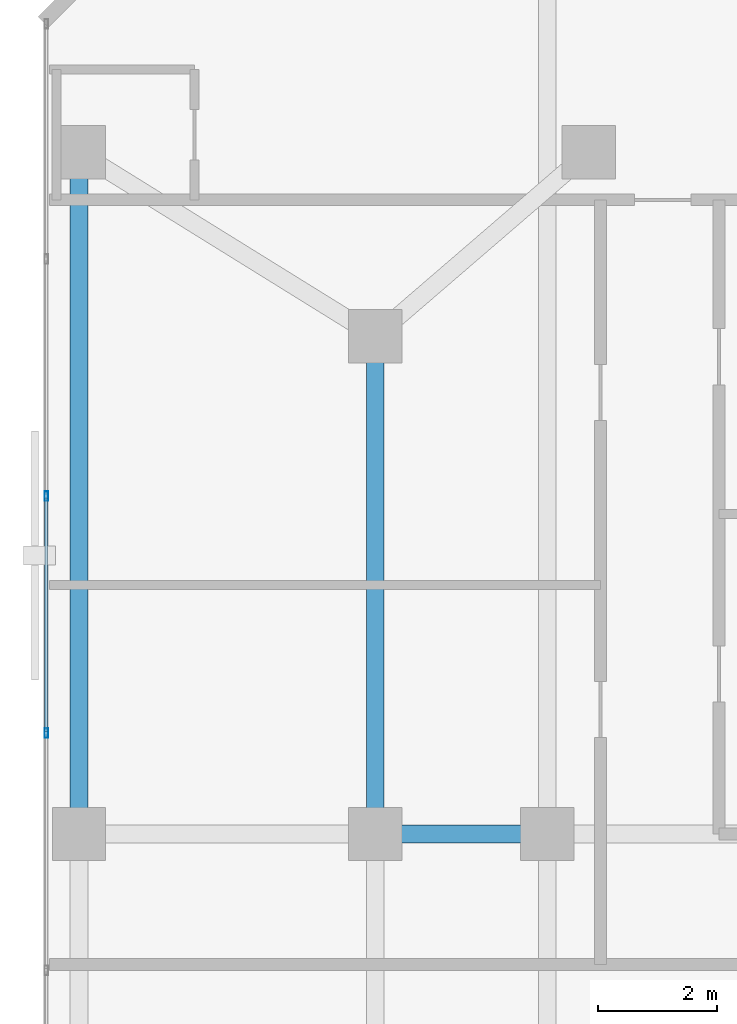
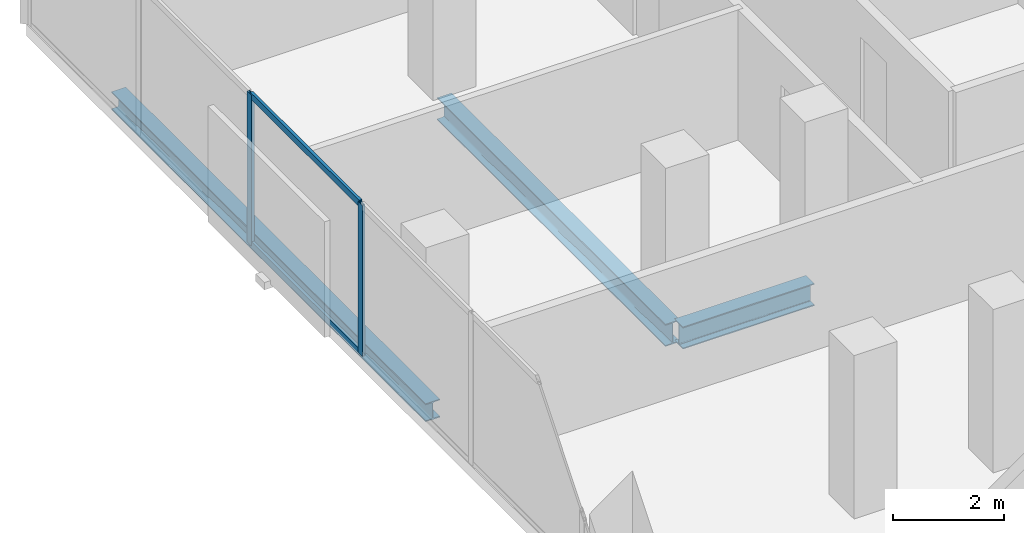
# One storey, part 11 of 33: 4 members, 3 beams, 1 element without a shape of its own.
"""IFC4 building model written with IfcOpenShell, lengths in metres."""

from ifc_helpers import new_model, si_unit, direction, frame, origin, origin_2d, place, context, subcontext, project, spatial, hollow_rectangle, i_section, extrude, material, layer, layer_set, material_profile, profile_set, type_object, element, aggregate, save


model = new_model("IFC4")

# Units and contexts
model_context = context("Model", 3, precision=1e-05, world=origin(), true_north=direction((0.0, 1.0)))
body_context = subcontext(model_context, "Body", "Model", "MODEL_VIEW")
ifc_project = project(units=[si_unit("LENGTHUNIT", "METRE"), si_unit("AREAUNIT", "SQUARE_METRE"), si_unit("VOLUMEUNIT", "CUBIC_METRE"), si_unit("PLANEANGLEUNIT", "RADIAN"), si_unit("MASSUNIT", "GRAM", prefix="KILO")], contexts=[model_context])

# Site, building, storey
site_placement = place(None, origin())
site = spatial("IfcSite", under=ifc_project, at=site_placement, CompositionType="ELEMENT")
building_placement = place(site_placement, origin())
building = spatial("IfcBuilding", under=site, at=building_placement, Name="Catumbela Crestline Tower", CompositionType="ELEMENT")
storey_placement = place(building_placement, frame((0.0, 0.0, 100.8)))
storey = spatial("IfcBuildingStorey", under=building, at=storey_placement, Name="L25", CompositionType="ELEMENT", Elevation=100.8)

# Beams
ifc_material_1 = material(Name="Structural steel S355J2", Category="steel")
ifc_material_profile_1 = material_profile(ifc_material_1, i_section(OverallWidth=0.3, OverallDepth=0.49, WebThickness=0.012, FlangeThickness=0.023, FilletRadius=0.027, at=origin_2d()), Name="HEA 500")
ifc_profile_set_1 = profile_set([ifc_material_profile_1], Name="Structural steel S355J2")
beam_type_1 = type_object("IfcBeamType", Name="BG-HEA500", PredefinedType="BEAM", material=ifc_profile_set_1)
beam_1_placement = place(storey_placement, frame((5.68, 30.8, -0.505), z_axis=(1.0, 0.0, 0.0), x_axis=(0.0, 1.0, 0.0)))
element("IfcBeam", 1, at=beam_1_placement, inside=storey, type_object=beam_type_1, Name="L25 Beam BM-L25-M08", PredefinedType="BEAM", context=body_context, shape_type="SweptSolid", body=[
    extrude(i_section(OverallWidth=0.3, OverallDepth=0.49, WebThickness=0.012, FlangeThickness=0.023, FilletRadius=0.027, at=origin_2d()), origin(), (0.0, 0.0, 1.0), 2.74),
])
beam_2_placement = place(storey_placement, frame((5.6, 30.88, -0.505), z_axis=(0.0, 1.0, 0.0), x_axis=(-1.0, 0.0, 0.0)))
element("IfcBeam", 2, at=beam_2_placement, inside=storey, type_object=beam_type_1, Name="L25 Beam BM-L25-SN25", PredefinedType="BEAM", context=body_context, shape_type="SweptSolid", body=[
    extrude(i_section(OverallWidth=0.3, OverallDepth=0.49, WebThickness=0.012, FlangeThickness=0.023, FilletRadius=0.027, at=origin_2d()), origin(), (0.0, 0.0, 1.0), 8.24),
])

# Curtain wall, members
ifc_material_2 = material(Name="Aluminium alloy AW-6060-T66", Category="aluminium")
ifc_layer = layer(ifc_material_2, 0.18, Name="Aluminium alloy AW-6060-T66")
ifc_layer_set = layer_set([ifc_layer], Name="Aluminium alloy AW-6060-T66")
curtain_wall_type = type_object("IfcCurtainWallType", Name="CWU-Z2", PredefinedType="USERDEFINED", material=ifc_layer_set)
curtain_wall_placement = place(storey_placement, origin())
curtain_wall = element("IfcCurtainWall", 3, at=curtain_wall_placement, inside=storey, type_object=curtain_wall_type, Name="L25 Unitised Curtain Wall CW-L25-E9S1", ObjectType="UNITISED", PredefinedType="USERDEFINED")
ifc_material_profile_2 = material_profile(ifc_material_2, hollow_rectangle(XDim=0.06, YDim=0.16, WallThickness=0.004, at=origin_2d()), Name="ALU 160x60x4")
ifc_profile_set_2 = profile_set([ifc_material_profile_2], Name="Aluminium alloy AW-6060-T66")
member_type_1 = type_object("IfcMemberType", Name="MUL-160X60", PredefinedType="MULLION", material=ifc_profile_set_2)
member_1_placement = place(storey_placement, frame((0.05, 36.5, 0.0), z_axis=(0.0, 0.0, 1.0), x_axis=(1.0, 0.0, 0.0)))
member_1 = element("IfcMember", 4, at=member_1_placement, type_object=member_type_1, Name="CWU-Z2 mullion 3", PredefinedType="MULLION", context=body_context, shape_type="SweptSolid", body=[
    extrude(hollow_rectangle(XDim=0.06, YDim=0.16, WallThickness=0.004, at=origin_2d()), origin(), (0.0, 0.0, 1.0), 3.33),
])
member_2_placement = place(storey_placement, frame((0.05, 32.5, 0.0), z_axis=(0.0, 0.0, 1.0), x_axis=(1.0, 0.0, 0.0)))
member_2 = element("IfcMember", 5, at=member_2_placement, type_object=member_type_1, Name="CWU-Z2 mullion 4", PredefinedType="MULLION", context=body_context, shape_type="SweptSolid", body=[
    extrude(hollow_rectangle(XDim=0.06, YDim=0.16, WallThickness=0.004, at=origin_2d()), origin(), (0.0, 0.0, 1.0), 3.33),
])

# Beam
ifc_material_profile_3 = material_profile(ifc_material_1, i_section(OverallWidth=0.3, OverallDepth=0.4, WebThickness=0.0135, FlangeThickness=0.024, FilletRadius=0.027, at=origin_2d()), Name="HEB 400")
ifc_profile_set_3 = profile_set([ifc_material_profile_3], Name="Structural steel S355J2")
beam_type_2 = type_object("IfcBeamType", Name="BS-HEB400", PredefinedType="SPANDREL", material=ifc_profile_set_3)
beam_3_placement = place(storey_placement, frame((0.6, 30.88, -0.46), z_axis=(0.0, 1.0, 0.0), x_axis=(-1.0, 0.0, 0.0)))
element("IfcBeam", 6, at=beam_3_placement, inside=storey, type_object=beam_type_2, Name="L25 Spandrel SP-L25-SN23", PredefinedType="SPANDREL", context=body_context, shape_type="SweptSolid", body=[
    extrude(i_section(OverallWidth=0.3, OverallDepth=0.4, WebThickness=0.0135, FlangeThickness=0.024, FilletRadius=0.027, at=origin_2d()), origin(), (0.0, 0.0, 1.0), 11.34),
])

# Member
ifc_material_profile_4 = material_profile(ifc_material_2, hollow_rectangle(XDim=0.06, YDim=0.14, WallThickness=0.004, at=origin_2d()), Name="ALU 140x60x4")
ifc_profile_set_4 = profile_set([ifc_material_profile_4], Name="Aluminium alloy AW-6060-T66")
member_type_2 = type_object("IfcMemberType", Name="TRN-140X60", PredefinedType="USERDEFINED", material=ifc_profile_set_4)
member_3_placement = place(storey_placement, frame((0.05, 36.4675, 0.03), z_axis=(0.0, -1.0, 0.0), x_axis=(1.0, 0.0, 0.0)))
member_3 = element("IfcMember", 7, at=member_3_placement, type_object=member_type_2, Name="CWU-Z2 transom 3.1", ObjectType="TRANSOM", PredefinedType="USERDEFINED", context=body_context, shape_type="SweptSolid", body=[
    extrude(hollow_rectangle(XDim=0.06, YDim=0.14, WallThickness=0.004, at=origin_2d()), origin(), (0.0, 0.0, 1.0), 3.935),
])

member_4_placement = place(storey_placement, frame((0.05, 36.4675, 3.3), z_axis=(0.0, -1.0, 0.0), x_axis=(1.0, 0.0, 0.0)))
member_4 = element("IfcMember", 8, at=member_4_placement, type_object=member_type_2, Name="CWU-Z2 transom 3.2", ObjectType="TRANSOM", PredefinedType="USERDEFINED", context=body_context, shape_type="SweptSolid", body=[
    extrude(hollow_rectangle(XDim=0.06, YDim=0.14, WallThickness=0.004, at=origin_2d()), origin(), (0.0, 0.0, 1.0), 3.935),
])

aggregate(curtain_wall, [member_1, member_2, member_3, member_4])

save(model, "model.ifc")
